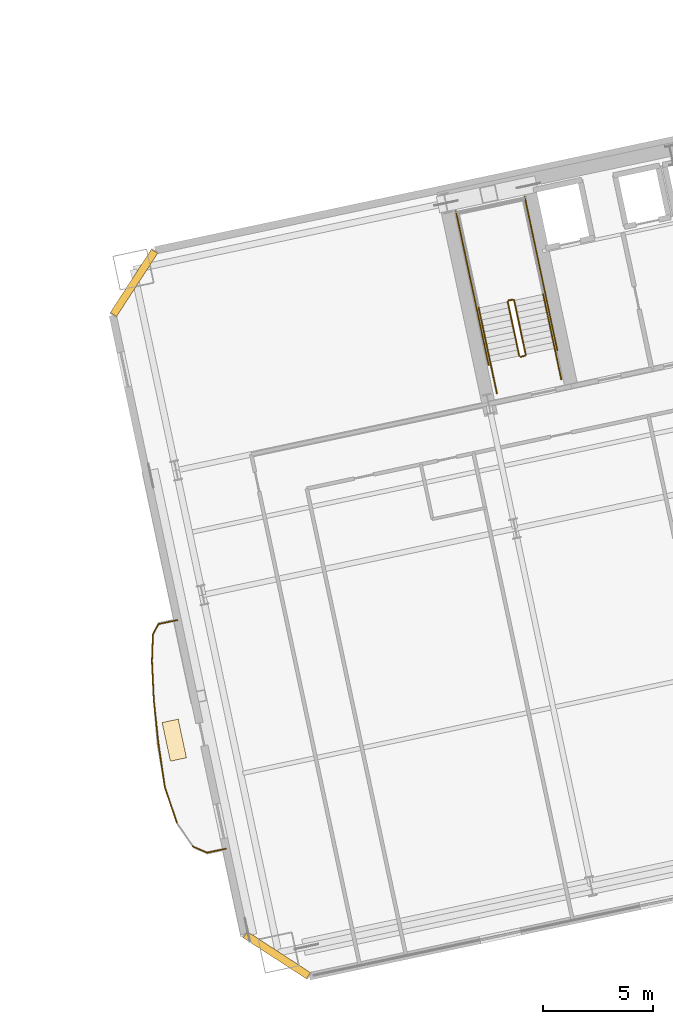
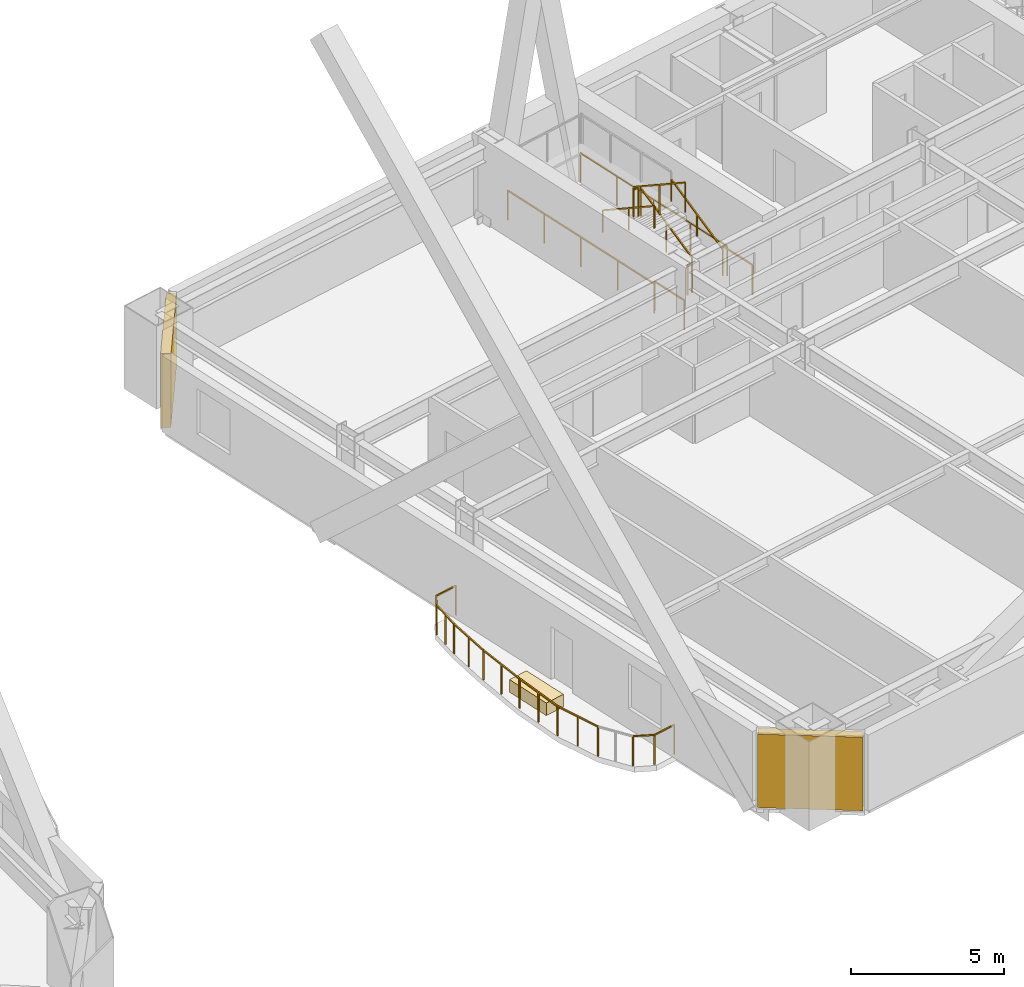
# One storey, part 17 of 20: 19 railings, 2 shading devices, 1 covering.
"""IFC4 building model written with IfcOpenShell, lengths in metres."""

from ifc_helpers import new_model, si_unit, direction, frame, origin, origin_2d, place, context, subcontext, project, spatial, rectangle, extrude, material, layer, layer_set, type_object, element, save


model = new_model("IFC4")

# Units and contexts
model_context = context("Model", 3, precision=1e-05, world=origin(), true_north=direction((0.0, 1.0)))
body_context = subcontext(model_context, "Body", "Model", "MODEL_VIEW")
ifc_project = project(units=[si_unit("LENGTHUNIT", "METRE"), si_unit("AREAUNIT", "SQUARE_METRE"), si_unit("VOLUMEUNIT", "CUBIC_METRE"), si_unit("PLANEANGLEUNIT", "RADIAN"), si_unit("MASSUNIT", "GRAM", prefix="KILO")], contexts=[model_context])

# Site, building, storey
site_placement = place(None, origin())
site = spatial("IfcSite", under=ifc_project, at=site_placement, CompositionType="ELEMENT")
building_placement = place(site_placement, origin())
building = spatial("IfcBuilding", under=site, at=building_placement, Name="Haevon Station Towers", CompositionType="ELEMENT")
storey_placement = place(building_placement, frame((0.0, 0.0, 30.60009765625)))
storey = spatial("IfcBuildingStorey", under=building, at=storey_placement, Name="L06", CompositionType="ELEMENT", Elevation=30.60009765625)

# Railings
ifc_material_1 = material(Name="Steel S355", Category="steel")
railing_type_1 = type_object("IfcRailingType", Name="GRD-EXT1200", PredefinedType="GUARDRAIL", material=ifc_material_1)
railing_1_placement = place(storey_placement, frame((84.565185546875, 27.599853515625, 0.0)))
element("IfcRailing", 1, at=railing_1_placement, inside=storey, type_object=railing_type_1, Name="L06 Perimeter Guardrail 1", PredefinedType="GUARDRAIL", context=body_context, shape_type="SweptSolid", body=[
    extrude(rectangle(XDim=0.048095703125, YDim=0.048095703125, at=origin_2d()), frame((0.0, 0.0, 1.17578125), z_axis=(-0.977683060471, -0.210085299981, 0.0), x_axis=(0.210085299981, -0.977683060471, 0.0)), (0.0, 0.0, 1.0), 0.869140625),
    extrude(rectangle(XDim=0.0419921875, YDim=0.0419921875, at=origin_2d()), origin(), (0.0, 0.0, 1.0), 1.15185546875),
    extrude(rectangle(XDim=0.0419921875, YDim=0.0419921875, at=origin_2d()), frame((-0.849853515625, -0.1826171875, 0.0)), (0.0, 0.0, 1.0), 1.15185546875),
])
railing_2_placement = place(storey_placement, frame((83.71533203125, 27.417236328125, 0.0)))
element("IfcRailing", 2, at=railing_2_placement, inside=storey, type_object=railing_type_1, Name="L06 Perimeter Guardrail 2", PredefinedType="GUARDRAIL", context=body_context, shape_type="SweptSolid", body=[
    extrude(rectangle(XDim=0.048095703125, YDim=0.048095703125, at=origin_2d()), frame((0.0, 0.0, 1.17578125), z_axis=(-0.470328768762, -0.882491274334, 0.0), x_axis=(0.882491274334, -0.470328768762, 0.0)), (0.0, 0.0, 1.0), 0.537353515625),
    extrude(rectangle(XDim=0.0419921875, YDim=0.0419921875, at=origin_2d()), origin(), (0.0, 0.0, 1.0), 1.15185546875),
    extrude(rectangle(XDim=0.0419921875, YDim=0.0419921875, at=origin_2d()), frame((-0.252685546875, -0.47412109375, 0.0)), (0.0, 0.0, 1.0), 1.15185546875),
])
railing_3_placement = place(storey_placement, frame((83.462646484375, 26.943115234375, 0.0)))
element("IfcRailing", 3, at=railing_3_placement, inside=storey, type_object=railing_type_1, Name="L06 Perimeter Guardrail 3", PredefinedType="GUARDRAIL", context=body_context, shape_type="SweptSolid", body=[
    extrude(rectangle(XDim=0.048095703125, YDim=0.048095703125, at=origin_2d()), frame((0.0, 0.0, 1.17578125), z_axis=(-0.036413082649, -0.999336823805, 0.0), x_axis=(0.999336823805, -0.036413082649, 0.0)), (0.0, 0.0, 1.0), 1.206787109375),
    extrude(rectangle(XDim=0.0419921875, YDim=0.0419921875, at=origin_2d()), origin(), (0.0, 0.0, 1.0), 1.15185546875),
    extrude(rectangle(XDim=0.0419921875, YDim=0.0419921875, at=origin_2d()), frame((-0.02197265625, -0.60302734375, 0.0)), (0.0, 0.0, 1.0), 1.15185546875),
    extrude(rectangle(XDim=0.0419921875, YDim=0.0419921875, at=origin_2d()), frame((-0.0439453125, -1.2060546875, 0.0)), (0.0, 0.0, 1.0), 1.15185546875),
])
railing_4_placement = place(storey_placement, frame((83.418701171875, 25.737060546875, 0.0)))
element("IfcRailing", 4, at=railing_4_placement, inside=storey, type_object=railing_type_1, Name="L06 Perimeter Guardrail 4", PredefinedType="GUARDRAIL", context=body_context, shape_type="SweptSolid", body=[
    extrude(rectangle(XDim=0.048095703125, YDim=0.048095703125, at=origin_2d()), frame((0.0, 0.0, 1.17578125), z_axis=(0.046413459266, -0.998922314697, 0.0), x_axis=(0.998922314697, 0.046413459266, 0.0)), (0.0, 0.0, 1.0), 1.772705078125),
    extrude(rectangle(XDim=0.0419921875, YDim=0.0419921875, at=origin_2d()), origin(), (0.0, 0.0, 1.0), 1.15185546875),
    extrude(rectangle(XDim=0.0419921875, YDim=0.0419921875, at=origin_2d()), frame((0.041015625, -0.88525390625, 0.0)), (0.0, 0.0, 1.0), 1.15185546875),
    extrude(rectangle(XDim=0.0419921875, YDim=0.0419921875, at=origin_2d()), frame((0.082275390625, -1.770751953125, 0.0)), (0.0, 0.0, 1.0), 1.15185546875),
])
railing_5_placement = place(storey_placement, frame((83.5009765625, 23.96630859375, 0.0)))
element("IfcRailing", 5, at=railing_5_placement, inside=storey, type_object=railing_type_1, Name="L06 Perimeter Guardrail 5", PredefinedType="GUARDRAIL", context=body_context, shape_type="SweptSolid", body=[
    extrude(rectangle(XDim=0.048095703125, YDim=0.048095703125, at=origin_2d()), frame((0.0, 0.0, 1.17578125), z_axis=(0.106571916778, -0.994304996746, 0.0), x_axis=(0.994304996746, 0.106571916778, 0.0)), (0.0, 0.0, 1.0), 2.0),
    extrude(rectangle(XDim=0.0419921875, YDim=0.0419921875, at=origin_2d()), origin(), (0.0, 0.0, 1.0), 1.15185546875),
    extrude(rectangle(XDim=0.0419921875, YDim=0.0419921875, at=origin_2d()), frame((0.1064453125, -0.994140625, 0.0)), (0.0, 0.0, 1.0), 1.15185546875),
    extrude(rectangle(XDim=0.0419921875, YDim=0.0419921875, at=origin_2d()), frame((0.213134765625, -1.988525390625, 0.0)), (0.0, 0.0, 1.0), 1.15185546875),
])
railing_6_placement = place(storey_placement, frame((83.714111328125, 21.977783203125, 0.0)))
element("IfcRailing", 6, at=railing_6_placement, inside=storey, type_object=railing_type_1, Name="L06 Perimeter Guardrail 6", PredefinedType="GUARDRAIL", context=body_context, shape_type="SweptSolid", body=[
    extrude(rectangle(XDim=0.048095703125, YDim=0.048095703125, at=origin_2d()), frame((0.0, 0.0, 1.17578125), z_axis=(0.145356728173, -0.989379311273, 0.0), x_axis=(0.989379311273, 0.145356728173, 0.0)), (0.0, 0.0, 1.0), 1.9970703125),
    extrude(rectangle(XDim=0.0419921875, YDim=0.0419921875, at=origin_2d()), origin(), (0.0, 0.0, 1.0), 1.15185546875),
    extrude(rectangle(XDim=0.0419921875, YDim=0.0419921875, at=origin_2d()), frame((0.14501953125, -0.98779296875, 0.0)), (0.0, 0.0, 1.0), 1.15185546875),
    extrude(rectangle(XDim=0.0419921875, YDim=0.0419921875, at=origin_2d()), frame((0.290283203125, -1.975830078125, 0.0)), (0.0, 0.0, 1.0), 1.15185546875),
])
railing_7_placement = place(storey_placement, frame((84.00439453125, 20.001953125, 0.0)))
element("IfcRailing", 7, at=railing_7_placement, inside=storey, type_object=railing_type_1, Name="L06 Perimeter Guardrail 7", PredefinedType="GUARDRAIL", context=body_context, shape_type="SweptSolid", body=[
    extrude(rectangle(XDim=0.048095703125, YDim=0.048095703125, at=origin_2d()), frame((0.0, 0.0, 1.17578125), z_axis=(0.321511973144, -0.946905513304, 0.0), x_axis=(0.946905513304, 0.321511973144, 0.0)), (0.0, 0.0, 1.0), 1.758544921875),
    extrude(rectangle(XDim=0.0419921875, YDim=0.0419921875, at=origin_2d()), origin(), (0.0, 0.0, 1.0), 1.15185546875),
    extrude(rectangle(XDim=0.0419921875, YDim=0.0419921875, at=origin_2d()), frame((0.28271484375, -0.83251953125, 0.0)), (0.0, 0.0, 1.0), 1.15185546875),
    extrude(rectangle(XDim=0.0419921875, YDim=0.0419921875, at=origin_2d()), frame((0.5654296875, -1.665283203125, 0.0)), (0.0, 0.0, 1.0), 1.15185546875),
])
railing_8_placement = place(storey_placement, frame((85.281982421875, 17.29248046875, 0.0)))
element("IfcRailing", 8, at=railing_8_placement, inside=storey, type_object=railing_type_1, Name="L06 Perimeter Guardrail 9", PredefinedType="GUARDRAIL", context=body_context, shape_type="SweptSolid", body=[
    extrude(rectangle(XDim=0.048095703125, YDim=0.048095703125, at=origin_2d()), frame((0.0, 0.0, 1.17578125), z_axis=(0.915743501552, -0.401763412179, 0.0), x_axis=(0.401763412179, 0.915743501552, 0.0)), (0.0, 0.0, 1.0), 0.704833984375),
    extrude(rectangle(XDim=0.0419921875, YDim=0.0419921875, at=origin_2d()), origin(), (0.0, 0.0, 1.0), 1.15185546875),
    extrude(rectangle(XDim=0.0419921875, YDim=0.0419921875, at=origin_2d()), frame((0.6455078125, -0.283203125, 0.0)), (0.0, 0.0, 1.0), 1.15185546875),
])
railing_9_placement = place(storey_placement, frame((85.927490234375, 17.00927734375, 0.0)))
element("IfcRailing", 9, at=railing_9_placement, inside=storey, type_object=railing_type_1, Name="L06 Perimeter Guardrail 10", PredefinedType="GUARDRAIL", context=body_context, shape_type="SweptSolid", body=[
    extrude(rectangle(XDim=0.048095703125, YDim=0.048095703125, at=origin_2d()), frame((0.0, 0.0, 1.17578125), z_axis=(0.978588498747, 0.205826504901, 0.0), x_axis=(-0.205826504901, 0.978588498747, 0.0)), (0.0, 0.0, 1.0), 0.869384765625),
    extrude(rectangle(XDim=0.0419921875, YDim=0.0419921875, at=origin_2d()), origin(), (0.0, 0.0, 1.0), 1.15185546875),
    extrude(rectangle(XDim=0.0419921875, YDim=0.0419921875, at=origin_2d()), frame((0.850830078125, 0.178955078125, 0.0)), (0.0, 0.0, 1.0), 1.15185546875),
])
railing_type_2 = type_object("IfcRailingType", Name="GRD-STR1200", PredefinedType="GUARDRAIL", material=ifc_material_1)
railing_10_placement = place(storey_placement, frame((100.44140625, 39.69287109375, 0.164794921875)))
element("IfcRailing", 10, at=railing_10_placement, inside=storey, type_object=railing_type_2, Name="L06 ST3 Stair Guard 1", PredefinedType="GUARDRAIL", context=body_context, shape_type="SweptSolid", body=[
    extrude(rectangle(XDim=0.048095703125, YDim=0.048095703125, at=origin_2d()), frame((0.0, 0.0, 1.17578125), z_axis=(-0.179121265225, 0.842687928106, 0.507732831485), x_axis=(-0.978147030254, -0.207914374695, 0.0)), (0.0, 0.0, 1.0), 2.925048828125),
    extrude(rectangle(XDim=0.0419921875, YDim=0.0419921875, at=origin_2d()), origin(), (0.0, 0.0, 1.0), 1.15185546875),
    extrude(rectangle(XDim=0.0419921875, YDim=0.0419921875, at=origin_2d()), frame((-0.261962890625, 1.232421875, 0.74267578125)), (0.0, 0.0, 1.0), 1.15185546875),
    extrude(rectangle(XDim=0.0419921875, YDim=0.0419921875, at=origin_2d()), frame((-0.52392578125, 2.46484375, 1.485107421875)), (0.0, 0.0, 1.0), 1.15185546875),
])
railing_11_placement = place(storey_placement, frame((99.858154296875, 42.1962890625, 1.64990234375)))
element("IfcRailing", 11, at=railing_11_placement, inside=storey, type_object=railing_type_2, Name="L06 ST3 Stair Guard 2", PredefinedType="GUARDRAIL", context=body_context, shape_type="SweptSolid", body=[
    extrude(rectangle(XDim=0.048095703125, YDim=0.048095703125, at=origin_2d()), frame((0.0, 0.0, 1.17578125), z_axis=(-0.977962931203, -0.208778603291, 0.0), x_axis=(0.208778603291, -0.977962931203, 0.0)), (0.0, 0.0, 1.0), 0.199951171875),
    extrude(rectangle(XDim=0.0419921875, YDim=0.0419921875, at=origin_2d()), origin(), (0.0, 0.0, 1.0), 1.15185546875),
    extrude(rectangle(XDim=0.0419921875, YDim=0.0419921875, at=origin_2d()), frame((-0.195556640625, -0.041748046875, 0.0)), (0.0, 0.0, 1.0), 1.15185546875),
])
railing_12_placement = place(storey_placement, frame((99.6240234375, 42.09521484375, 1.81494140625)))
element("IfcRailing", 12, at=railing_12_placement, inside=storey, type_object=railing_type_2, Name="L06 ST3 Stair Guard 6", PredefinedType="GUARDRAIL", context=body_context, shape_type="SweptSolid", body=[
    extrude(rectangle(XDim=0.048095703125, YDim=0.048095703125, at=origin_2d()), frame((0.0, 0.0, 1.17578125), z_axis=(0.179128856099, -0.842723639875, 0.507670877349), x_axis=(0.978147030254, 0.207914374695, 0.0)), (0.0, 0.0, 1.0), 2.9248046875),
    extrude(rectangle(XDim=0.0419921875, YDim=0.0419921875, at=origin_2d()), origin(), (0.0, 0.0, 1.0), 1.15185546875),
    extrude(rectangle(XDim=0.0419921875, YDim=0.0419921875, at=origin_2d()), frame((0.261962890625, -1.232421875, 0.742431640625)), (0.0, 0.0, 1.0), 1.15185546875),
    extrude(rectangle(XDim=0.0419921875, YDim=0.0419921875, at=origin_2d()), frame((0.52392578125, -2.46484375, 1.48486328125)), (0.0, 0.0, 1.0), 1.15185546875),
])
railing_13_placement = place(storey_placement, frame((100.40283203125, 39.633544921875, 0.0)))
element("IfcRailing", 13, at=railing_13_placement, inside=storey, type_object=railing_type_2, Name="L06 ST3 Stair Guard 7", PredefinedType="GUARDRAIL", context=body_context, shape_type="SweptSolid", body=[
    extrude(rectangle(XDim=0.048095703125, YDim=0.048095703125, at=origin_2d()), frame((0.0, 0.0, 1.17578125), z_axis=(-0.977962931203, -0.208778603291, 0.0), x_axis=(0.208778603291, -0.977962931203, 0.0)), (0.0, 0.0, 1.0), 0.199951171875),
    extrude(rectangle(XDim=0.0419921875, YDim=0.0419921875, at=origin_2d()), origin(), (0.0, 0.0, 1.0), 1.15185546875),
    extrude(rectangle(XDim=0.0419921875, YDim=0.0419921875, at=origin_2d()), frame((-0.195556640625, -0.041748046875, 0.0)), (0.0, 0.0, 1.0), 1.15185546875),
])
for number, where, name in (
    (14, (102.0634765625, 38.55517578125, 0.0), "L06 ST3 Stair Guard 8"),
    (15, (99.12890625, 37.931396484375, 0.0), "L06 ST3 Stair Guard 9"),
):
    element("IfcRailing", number, at=place(storey_placement, frame(where)), inside=storey, type_object=railing_type_2, Name=name, PredefinedType="GUARDRAIL", context=body_context, shape_type="SweptSolid", body=[
        extrude(rectangle(XDim=0.048095703125, YDim=0.048095703125, at=origin_2d()), frame((0.0, 0.0, 1.17578125), z_axis=(-0.207953405961, 0.978138732977, 0.0), x_axis=(-0.978138732977, -0.207953405961, 0.0)), (0.0, 0.0, 1.0), 1.449951171875),
        extrude(rectangle(XDim=0.0419921875, YDim=0.0419921875, at=origin_2d()), origin(), (0.0, 0.0, 1.0), 1.15185546875),
        extrude(rectangle(XDim=0.0419921875, YDim=0.0419921875, at=origin_2d()), frame((-0.301513671875, 1.418212890625, 0.0)), (0.0, 0.0, 1.0), 1.15185546875),
    ])
railing_14_placement = place(storey_placement, frame((101.88037109375, 39.896484375, 0.0)))
element("IfcRailing", 16, at=railing_14_placement, inside=storey, type_object=railing_type_2, Name="L06 ST3 Stair Guard 10", PredefinedType="GUARDRAIL", context=body_context, shape_type="SweptSolid", body=[
    extrude(rectangle(XDim=0.048095703125, YDim=0.048095703125, at=origin_2d()), frame((0.0, 0.0, 1.17578125), z_axis=(-0.207882442208, 0.978153817261, 0.0), x_axis=(-0.978153817261, -0.207882442208, 0.0)), (0.0, 0.0, 1.0), 7.14990234375),
    extrude(rectangle(XDim=0.0419921875, YDim=0.0419921875, at=origin_2d()), origin(), (0.0, 0.0, 1.0), 1.15185546875),
    extrude(rectangle(XDim=0.0419921875, YDim=0.0419921875, at=origin_2d()), frame((-0.37158203125, 1.74853515625, 0.0)), (0.0, 0.0, 1.0), 1.15185546875),
    extrude(rectangle(XDim=0.0419921875, YDim=0.0419921875, at=origin_2d()), frame((-0.7431640625, 3.496826171875, 0.0)), (0.0, 0.0, 1.0), 1.15185546875),
    extrude(rectangle(XDim=0.0419921875, YDim=0.0419921875, at=origin_2d()), frame((-1.11474609375, 5.2451171875, 0.0)), (0.0, 0.0, 1.0), 1.15185546875),
    extrude(rectangle(XDim=0.0419921875, YDim=0.0419921875, at=origin_2d()), frame((-1.486328125, 6.99365234375, 0.0)), (0.0, 0.0, 1.0), 1.15185546875),
])
railing_15_placement = place(storey_placement, frame((98.75048828125, 39.231201171875, 0.0)))
element("IfcRailing", 17, at=railing_15_placement, inside=storey, type_object=railing_type_2, Name="L06 ST3 Stair Guard 11", PredefinedType="GUARDRAIL", context=body_context, shape_type="SweptSolid", body=[
    extrude(rectangle(XDim=0.048095703125, YDim=0.048095703125, at=origin_2d()), frame((0.0, 0.0, 1.17578125), z_axis=(-0.207915112487, 0.978146873429, 0.0), x_axis=(-0.978146873429, -0.207915112487, 0.0)), (0.0, 0.0, 1.0), 7.14990234375),
    extrude(rectangle(XDim=0.0419921875, YDim=0.0419921875, at=origin_2d()), origin(), (0.0, 0.0, 1.0), 1.15185546875),
    extrude(rectangle(XDim=0.0419921875, YDim=0.0419921875, at=origin_2d()), frame((-0.37158203125, 1.74853515625, 0.0)), (0.0, 0.0, 1.0), 1.15185546875),
    extrude(rectangle(XDim=0.0419921875, YDim=0.0419921875, at=origin_2d()), frame((-0.7431640625, 3.496826171875, 0.0)), (0.0, 0.0, 1.0), 1.15185546875),
    extrude(rectangle(XDim=0.0419921875, YDim=0.0419921875, at=origin_2d()), frame((-1.114990234375, 5.2451171875, 0.0)), (0.0, 0.0, 1.0), 1.15185546875),
    extrude(rectangle(XDim=0.0419921875, YDim=0.0419921875, at=origin_2d()), frame((-1.486572265625, 6.99365234375, 0.0)), (0.0, 0.0, 1.0), 1.15185546875),
])
railing_type_3 = type_object("IfcRailingType", Name="HND-STR900", PredefinedType="HANDRAIL", material=ifc_material_1)
railing_16_placement = place(storey_placement, frame((101.761962890625, 39.973388671875, 0.164794921875)))
element("IfcRailing", 18, at=railing_16_placement, inside=storey, type_object=railing_type_3, Name="L06 ST3 Stair Handrail 1", PredefinedType="HANDRAIL", context=body_context, shape_type="SweptSolid", body=[
    extrude(rectangle(XDim=0.048095703125, YDim=0.048095703125, at=origin_2d()), frame((0.0, 0.0, 0.8759765625), z_axis=(-0.179108667068, 0.842712120868, 0.50769712105), x_axis=(-0.978151217824, -0.207894673017, 0.0)), (0.0, 0.0, 1.0), 2.92529296875),
    extrude(rectangle(XDim=0.0419921875, YDim=0.0419921875, at=origin_2d()), origin(), (0.0, 0.0, 1.0), 0.851806640625),
    extrude(rectangle(XDim=0.0419921875, YDim=0.0419921875, at=origin_2d()), frame((-0.261962890625, 1.232421875, 0.74267578125)), (0.0, 0.0, 1.0), 0.851806640625),
    extrude(rectangle(XDim=0.0419921875, YDim=0.0419921875, at=origin_2d()), frame((-0.52392578125, 2.465087890625, 1.485107421875)), (0.0, 0.0, 1.0), 0.851806640625),
])
railing_17_placement = place(storey_placement, frame((98.303466796875, 41.814697265625, 1.81494140625)))
element("IfcRailing", 19, at=railing_17_placement, inside=storey, type_object=railing_type_3, Name="L06 ST3 Stair Handrail 2", PredefinedType="HANDRAIL", context=body_context, shape_type="SweptSolid", body=[
    extrude(rectangle(XDim=0.048095703125, YDim=0.048095703125, at=origin_2d()), frame((0.0, 0.0, 0.8759765625), z_axis=(0.179116256339, -0.842747828638, 0.507635168246), x_axis=(0.978151217824, 0.207894673017, 0.0)), (0.0, 0.0, 1.0), 2.925048828125),
    extrude(rectangle(XDim=0.0419921875, YDim=0.0419921875, at=origin_2d()), origin(), (0.0, 0.0, 1.0), 0.851806640625),
    extrude(rectangle(XDim=0.0419921875, YDim=0.0419921875, at=origin_2d()), frame((0.261962890625, -1.232421875, 0.742431640625)), (0.0, 0.0, 1.0), 0.851806640625),
    extrude(rectangle(XDim=0.0419921875, YDim=0.0419921875, at=origin_2d()), frame((0.52392578125, -2.465087890625, 1.48486328125)), (0.0, 0.0, 1.0), 0.851806640625),
])

# Covering
ifc_material_2 = material(Name="Architectural planter GRC", Category="concrete")
ifc_layer_1 = layer(ifc_material_2, 0.550048828125)
ifc_layer_set_1 = layer_set([ifc_layer_1], Name="Architectural planter GRC")
covering_type = type_object("IfcCoveringType", Name="PLN-GRC550", PredefinedType="MOLDING", material=ifc_layer_set_1)
covering_placement = place(storey_placement, frame((84.439453125, 22.132080078125, 0.0), z_axis=(0.0, 0.0, 1.0), x_axis=(0.978147600734, 0.207911690818, 0.0)))
element("IfcCovering", 20, at=covering_placement, inside=storey, type_object=covering_type, Name="Tower 2 L06 Scalloped Balcony PLANTER", PredefinedType="MOLDING", context=body_context, shape_type="SweptSolid", body=[
    extrude(rectangle(XDim=0.75, YDim=1.800048828125, at=origin_2d()), origin(), (0.0, 0.0, 1.0), 0.5),
])

# Shading devices
ifc_material_3 = material(Name="Anodised aluminium 6063-T6", Category="aluminium")
ifc_layer_2 = layer(ifc_material_3, 0.139892578125)
ifc_layer_set_2 = layer_set([ifc_layer_2], Name="Anodised aluminium 6063-T6")
shading_device_type = type_object("IfcShadingDeviceType", Name="SHD-WIND-BAFFLE", PredefinedType="SHUTTER", material=ifc_layer_set_2)
for number, where, z_axis, x_axis, name in (
    (21, (89.11083984375, 12.33935546875, 0.0498046875), (0.0, 0.0, 1.0), (-0.838670519647, 0.544639109388, 0.0), "Tower 2 L06 Wind-Corner Aerofoil Baffle SWC"),
    (22, (82.603271484375, 42.955322265625, 0.0498046875), (0.0, 0.0, 1.0), (0.544639109388, 0.838670519647, 0.0), "Tower 2 L06 Wind-Corner Aerofoil Baffle NWC"),
):
    element("IfcShadingDevice", number, at=place(storey_placement, frame(where, z_axis=z_axis, x_axis=x_axis)), inside=storey, type_object=shading_device_type, Name=name, PredefinedType="SHUTTER", context=body_context, shape_type="SweptSolid", body=[
        extrude(rectangle(XDim=3.435546875, YDim=0.340087890625, at=origin_2d()), origin(), (0.0, 0.0, 1.0), 2.929931640625),
    ])

save(model, "model.ifc")
